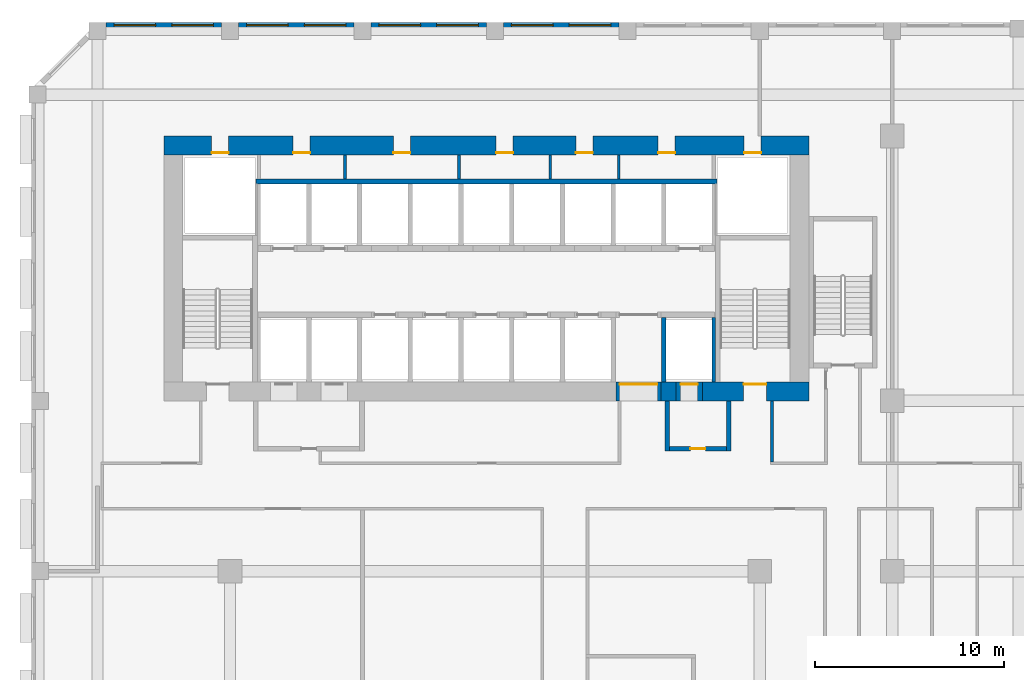
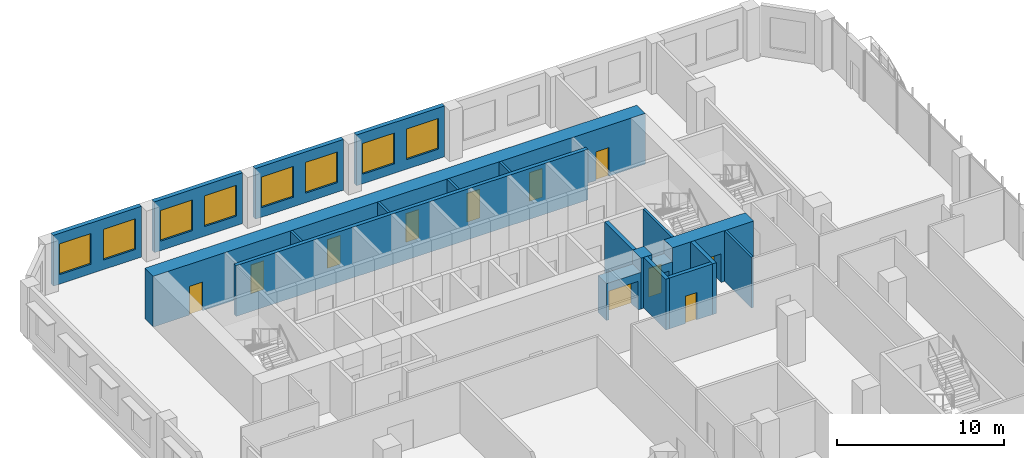
# One storey, part 15 of 26: 20 walls, 11 doors, 8 windows, 19 openings.
"""IFC4 building model written with IfcOpenShell, lengths in metres."""

from ifc_helpers import new_model, si_unit, direction, frame, frame_2d, origin, place, context, subcontext, project, spatial, rectangle, extrude, source, transform, mapped, material, layer, layer_set, type_object, element, fill, save


model = new_model("IFC4")

# Units and contexts
model_context = context("Model", 3, precision=1e-05, world=origin(), true_north=direction((0.0, 1.0)))
body_context = subcontext(model_context, "Body", "Model", "MODEL_VIEW")
ifc_project = project(units=[si_unit("LENGTHUNIT", "METRE"), si_unit("AREAUNIT", "SQUARE_METRE"), si_unit("VOLUMEUNIT", "CUBIC_METRE"), si_unit("PLANEANGLEUNIT", "RADIAN"), si_unit("MASSUNIT", "GRAM", prefix="KILO")], contexts=[model_context])

# Site, building, storey
site_placement = place(None, origin())
site = spatial("IfcSite", under=ifc_project, at=site_placement, CompositionType="ELEMENT")
building_placement = place(site_placement, origin())
building = spatial("IfcBuilding", under=site, at=building_placement, Name="Kilnfold Tower and Market Hall", CompositionType="ELEMENT")
storey_placement = place(building_placement, frame((0.0, 0.0, 83.199951171875)))
storey = spatial("IfcBuildingStorey", under=building, at=storey_placement, Name="L19", CompositionType="ELEMENT", Elevation=83.199951171875)

# Walls
ifc_material_1 = material(Name="Gypsum board on steel studs", Category="steel")
ifc_layer_1 = layer(ifc_material_1, 0.14990234375)
ifc_layer_set_1 = layer_set([ifc_layer_1], Name="Gypsum board on steel studs")
wall_type_1 = type_object("IfcWallType", Name="WALL CORRIDOR 150", PredefinedType="PARTITIONING", material=ifc_layer_set_1)
wall_1_placement = place(storey_placement, frame((16.14990234375, 4.77490234375, 0.0), z_axis=(0.0, 0.0, 1.0), x_axis=(0.0, 1.0, 0.0)))
element("IfcWall", 1, at=wall_1_placement, inside=storey, type_object=wall_type_1, Name="Partition LY13.25", PredefinedType="PARTITIONING", context=body_context, shape_type="SweptSolid", body=[
    extrude(rectangle(XDim=3.22509765625, YDim=0.14990234375, at=frame_2d((1.612548828125, 0.0))), origin(), (0.0, 0.0, 1.0), 3.719970703125),
])
ifc_material_2 = material(Name="Concrete C80", Category="concrete")
ifc_layer_2 = layer(ifc_material_2, 1.0)
ifc_layer_set_2 = layer_set([ifc_layer_2], Name="Concrete C80")
wall_type_2 = type_object("IfcWallType", Name="CORE WALL 1000 C80", PredefinedType="SHEAR", material=ifc_layer_set_2)
shared_shape_1 = source(origin(), body_context, "Body", "SweptSolid", [
    extrude(rectangle(XDim=0.780029296875, YDim=1.0, at=frame_2d((0.39013671875, 0.0))), origin(), (0.0, 0.0, 1.0), 3.719970703125),
])
wall_2_placement = place(storey_placement, frame((10.2900390625, 8.5, 0.0), z_axis=(0.0, 0.0, 1.0), x_axis=(1.0, 0.0, 0.0)))
element("IfcWall", 2, at=wall_2_placement, inside=storey, type_object=wall_type_2, Name="Core outer wall south", PredefinedType="SHEAR", context=body_context, shape_type="MappedRepresentation", body=[
    mapped(shared_shape_1, transform((0.0, 0.0, 0.0))),
])

# Wall, opening, door
shared_shape_2 = source(origin(), body_context, "Body", "SweptSolid", [
    extrude(rectangle(XDim=5.630126953125, YDim=1.0, at=frame_2d((2.81494140625, 0.0))), origin(), (0.0, 0.0, 1.0), 3.719970703125),
])
wall_3_placement = place(storey_placement, frame((12.469970703125, 8.5, 0.0), z_axis=(0.0, 0.0, 1.0), x_axis=(1.0, 0.0, 0.0)))
wall_3 = element("IfcWall", 3, at=wall_3_placement, inside=storey, type_object=wall_type_2, Name="Core outer wall south", PredefinedType="SHEAR", context=body_context, shape_type="MappedRepresentation", body=[
    mapped(shared_shape_2, transform((0.0, 0.0, 0.0))),
])
opening_1_placement = place(wall_3_placement, frame((2.179931640625, 0.0, 0.0)))
opening_1 = element("IfcOpeningElement", 4, at=opening_1_placement, cuts=wall_3, Name="Opening SD1", PredefinedType="OPENING", context=body_context, shape_type="SweptSolid", body=[
    extrude(rectangle(XDim=1.199951171875, YDim=2.10009765625, at=frame_2d((0.60009765625, 1.050048828125))), frame((0.0, 0.510009765625, 0.0), z_axis=(0.0, -1.0, 0.0), x_axis=(1.0, 0.0, 0.0)), (0.0, 0.0, 1.0), 1.02001953125),
])
ifc_material_3 = material(Name="Steel door set with fire-resisting leaf", Category="steel")
door_type_1 = type_object("IfcDoorType", Name="STAIR FLOOR DOOR 1200X2100", OperationType="NOTDEFINED", PredefinedType="DOOR", material=ifc_material_3)
door_1_placement = place(opening_1_placement, origin())
door_1 = element("IfcDoor", 5, at=door_1_placement, inside=storey, type_object=door_type_1, Name="Exit stair ST2 door", OperationType="DOUBLE_DOOR_SINGLE_SWING", OverallHeight=2.10009765625, OverallWidth=1.199951171875, PredefinedType="DOOR", context=body_context, shape_type="SweptSolid", body=[
    extrude(rectangle(XDim=1.199951171875, YDim=2.10009765625, at=frame_2d((0.60009765625, 1.050048828125))), frame((0.0, 0.40478515625, 0.0), z_axis=(0.0, -1.0, 0.0), x_axis=(1.0, 0.0, 0.0)), (0.0, 0.0, 1.0), 0.050048828125),
])
fill(opening_1, door_1)

# Wall, openings, doors
shared_shape_3 = source(origin(), body_context, "Body", "SweptSolid", [
    extrude(rectangle(XDim=34.10009765625, YDim=1.0, at=frame_2d((17.050048828125, 0.0))), origin(), (0.0, 0.0, 1.0), 3.719970703125),
])
wall_4_placement = place(storey_placement, frame((-16.0, 21.5, 0.0), z_axis=(0.0, 0.0, 1.0), x_axis=(1.0, 0.0, 0.0)))
wall_4 = element("IfcWall", 6, at=wall_4_placement, inside=storey, type_object=wall_type_2, Name="Core outer wall north", PredefinedType="SHEAR", context=body_context, shape_type="MappedRepresentation", body=[
    mapped(shared_shape_3, transform((0.0, 0.0, 0.0))),
])
opening_2_placement = place(wall_4_placement, frame((6.831298828125, 0.0, 0.0)))
opening_2 = element("IfcOpeningElement", 7, at=opening_2_placement, cuts=wall_4, Name="Opening KD1", PredefinedType="OPENING", context=body_context, shape_type="SweptSolid", body=[
    extrude(rectangle(XDim=0.89990234375, YDim=2.10009765625, at=frame_2d((0.449951171875, 1.050048828125))), frame((0.0, 0.510009765625, 0.0), z_axis=(0.0, -1.0, 0.0), x_axis=(1.0, 0.0, 0.0)), (0.0, 0.0, 1.0), 1.02001953125),
])
opening_3_placement = place(wall_4_placement, frame((12.1376953125, 0.0, 0.0)))
opening_3 = element("IfcOpeningElement", 8, at=opening_3_placement, cuts=wall_4, Name="Opening KD1", PredefinedType="OPENING", context=body_context, shape_type="SweptSolid", body=[
    extrude(rectangle(XDim=0.89990234375, YDim=2.10009765625, at=frame_2d((0.449951171875, 1.050048828125))), frame((0.0, 0.510009765625, 0.0), z_axis=(0.0, -1.0, 0.0), x_axis=(1.0, 0.0, 0.0)), (0.0, 0.0, 1.0), 1.02001953125),
])
opening_4_placement = place(wall_4_placement, frame((17.564697265625, 0.0, 0.0)))
opening_4 = element("IfcOpeningElement", 9, at=opening_4_placement, cuts=wall_4, Name="Opening KD1", PredefinedType="OPENING", context=body_context, shape_type="SweptSolid", body=[
    extrude(rectangle(XDim=0.89990234375, YDim=2.10009765625, at=frame_2d((0.449951171875, 1.050048828125))), frame((0.0, 0.510009765625, 0.0), z_axis=(0.0, -1.0, 0.0), x_axis=(1.0, 0.0, 0.0)), (0.0, 0.0, 1.0), 1.02001953125),
])
opening_5_placement = place(wall_4_placement, frame((21.785888671875, 0.0, 0.0)))
opening_5 = element("IfcOpeningElement", 10, at=opening_5_placement, cuts=wall_4, Name="Opening KD1", PredefinedType="OPENING", context=body_context, shape_type="SweptSolid", body=[
    extrude(rectangle(XDim=0.89990234375, YDim=2.10009765625, at=frame_2d((0.449951171875, 1.050048828125))), frame((0.0, 0.510009765625, 0.0), z_axis=(0.0, -1.0, 0.0), x_axis=(1.0, 0.0, 0.0)), (0.0, 0.0, 1.0), 1.02001953125),
])
opening_6_placement = place(wall_4_placement, frame((26.12744140625, 0.0, 0.0)))
opening_6 = element("IfcOpeningElement", 11, at=opening_6_placement, cuts=wall_4, Name="Opening KD1", PredefinedType="OPENING", context=body_context, shape_type="SweptSolid", body=[
    extrude(rectangle(XDim=0.89990234375, YDim=2.10009765625, at=frame_2d((0.449951171875, 1.050048828125))), frame((0.0, 0.510009765625, 0.0), z_axis=(0.0, -1.0, 0.0), x_axis=(1.0, 0.0, 0.0)), (0.0, 0.0, 1.0), 1.02001953125),
])
opening_7_placement = place(wall_4_placement, frame((2.52490234375, 0.0, 0.0)))
opening_7 = element("IfcOpeningElement", 12, at=opening_7_placement, cuts=wall_4, Name="Opening KD1", PredefinedType="OPENING", context=body_context, shape_type="SweptSolid", body=[
    extrude(rectangle(XDim=0.89990234375, YDim=2.10009765625, at=frame_2d((0.449951171875, 1.050048828125))), frame((0.0, 0.510009765625, 0.0), z_axis=(0.0, -1.0, 0.0), x_axis=(1.0, 0.0, 0.0)), (0.0, 0.0, 1.0), 1.02001953125),
])
opening_8_placement = place(wall_4_placement, frame((30.675048828125, 0.0, 0.0)))
opening_8 = element("IfcOpeningElement", 13, at=opening_8_placement, cuts=wall_4, Name="Opening KD1", PredefinedType="OPENING", context=body_context, shape_type="SweptSolid", body=[
    extrude(rectangle(XDim=0.89990234375, YDim=2.10009765625, at=frame_2d((0.449951171875, 1.050048828125))), frame((0.0, 0.510009765625, 0.0), z_axis=(0.0, -1.0, 0.0), x_axis=(1.0, 0.0, 0.0)), (0.0, 0.0, 1.0), 1.02001953125),
])
ifc_material_4 = material(Name="Steel door set with fire-resisting leaf", Category="steel")
door_type_2 = type_object("IfcDoorType", Name="SERVICE DOOR 900X2100", OperationType="NOTDEFINED", PredefinedType="DOOR", material=ifc_material_4)
door_2_placement = place(opening_2_placement, origin())
door_2 = element("IfcDoor", 14, at=door_2_placement, inside=storey, type_object=door_type_2, Name="Core service door", OperationType="SINGLE_SWING_RIGHT", OverallHeight=2.10009765625, OverallWidth=0.89990234375, PredefinedType="DOOR", context=body_context, shape_type="SweptSolid", body=[
    extrude(rectangle(XDim=0.89990234375, YDim=2.10009765625, at=frame_2d((0.449951171875, 1.050048828125))), frame((0.0, -0.35498046875, 0.0), z_axis=(0.0, -1.0, 0.0), x_axis=(1.0, 0.0, 0.0)), (0.0, 0.0, 1.0), 0.050048828125),
])
fill(opening_2, door_2)
door_3_placement = place(opening_3_placement, origin())
door_3 = element("IfcDoor", 15, at=door_3_placement, inside=storey, type_object=door_type_2, Name="Core service door", OperationType="SINGLE_SWING_LEFT", OverallHeight=2.10009765625, OverallWidth=0.89990234375, PredefinedType="DOOR", context=body_context, shape_type="SweptSolid", body=[
    extrude(rectangle(XDim=0.89990234375, YDim=2.10009765625, at=frame_2d((0.449951171875, 1.050048828125))), frame((0.0, -0.35498046875, 0.0), z_axis=(0.0, -1.0, 0.0), x_axis=(1.0, 0.0, 0.0)), (0.0, 0.0, 1.0), 0.050048828125),
])
fill(opening_3, door_3)
door_4_placement = place(opening_4_placement, origin())
door_4 = element("IfcDoor", 16, at=door_4_placement, inside=storey, type_object=door_type_2, Name="Core service door", OperationType="SINGLE_SWING_RIGHT", OverallHeight=2.10009765625, OverallWidth=0.89990234375, PredefinedType="DOOR", context=body_context, shape_type="SweptSolid", body=[
    extrude(rectangle(XDim=0.89990234375, YDim=2.10009765625, at=frame_2d((0.449951171875, 1.050048828125))), frame((0.0, -0.35498046875, 0.0), z_axis=(0.0, -1.0, 0.0), x_axis=(1.0, 0.0, 0.0)), (0.0, 0.0, 1.0), 0.050048828125),
])
fill(opening_4, door_4)
door_5_placement = place(opening_5_placement, origin())
door_5 = element("IfcDoor", 17, at=door_5_placement, inside=storey, type_object=door_type_2, Name="Core service door", OperationType="SINGLE_SWING_LEFT", OverallHeight=2.10009765625, OverallWidth=0.89990234375, PredefinedType="DOOR", context=body_context, shape_type="SweptSolid", body=[
    extrude(rectangle(XDim=0.89990234375, YDim=2.10009765625, at=frame_2d((0.449951171875, 1.050048828125))), frame((0.0, -0.35498046875, 0.0), z_axis=(0.0, -1.0, 0.0), x_axis=(1.0, 0.0, 0.0)), (0.0, 0.0, 1.0), 0.050048828125),
])
fill(opening_5, door_5)
door_6_placement = place(opening_6_placement, origin())
door_6 = element("IfcDoor", 18, at=door_6_placement, inside=storey, type_object=door_type_2, Name="Core service door", OperationType="SINGLE_SWING_RIGHT", OverallHeight=2.10009765625, OverallWidth=0.89990234375, PredefinedType="DOOR", context=body_context, shape_type="SweptSolid", body=[
    extrude(rectangle(XDim=0.89990234375, YDim=2.10009765625, at=frame_2d((0.449951171875, 1.050048828125))), frame((0.0, -0.35498046875, 0.0), z_axis=(0.0, -1.0, 0.0), x_axis=(1.0, 0.0, 0.0)), (0.0, 0.0, 1.0), 0.050048828125),
])
fill(opening_6, door_6)
door_7_placement = place(opening_7_placement, origin())
door_7 = element("IfcDoor", 19, at=door_7_placement, inside=storey, type_object=door_type_2, Name="Electrical riser access door", OperationType="SINGLE_SWING_LEFT", OverallHeight=2.10009765625, OverallWidth=0.89990234375, PredefinedType="DOOR", context=body_context, shape_type="SweptSolid", body=[
    extrude(rectangle(XDim=0.89990234375, YDim=2.10009765625, at=frame_2d((0.449951171875, 1.050048828125))), frame((0.0, -0.35498046875, 0.0), z_axis=(0.0, -1.0, 0.0), x_axis=(1.0, 0.0, 0.0)), (0.0, 0.0, 1.0), 0.050048828125),
])
fill(opening_7, door_7)
door_8_placement = place(opening_8_placement, origin())
door_8 = element("IfcDoor", 20, at=door_8_placement, inside=storey, type_object=door_type_2, Name="Mechanical riser access door", OperationType="SINGLE_SWING_RIGHT", OverallHeight=2.10009765625, OverallWidth=0.89990234375, PredefinedType="DOOR", context=body_context, shape_type="SweptSolid", body=[
    extrude(rectangle(XDim=0.89990234375, YDim=2.10009765625, at=frame_2d((0.449951171875, 1.050048828125))), frame((0.0, -0.35498046875, 0.0), z_axis=(0.0, -1.0, 0.0), x_axis=(1.0, 0.0, 0.0)), (0.0, 0.0, 1.0), 0.050048828125),
])
fill(opening_8, door_8)

# Wall, openings, windows
ifc_material_5 = material(Name="Precast concrete C50/60", Category="concrete")
ifc_layer_3 = layer(ifc_material_5, 0.300048828125)
ifc_layer_set_3 = layer_set([ifc_layer_3], Name="Precast concrete C50/60")
wall_type_3 = type_object("IfcWallType", Name="PRECAST WALL 300", PredefinedType="SOLIDWALL", material=ifc_layer_set_3)
shared_shape_4 = source(origin(), body_context, "Body", "SweptSolid", [
    extrude(rectangle(XDim=6.10009765625, YDim=0.300048828125, at=frame_2d((3.050048828125, 0.0))), origin(), (0.0, 0.0, 1.0), 3.719970703125),
])
wall_5_placement = place(storey_placement, frame((8.050048828125, 27.85009765625, 0.0), z_axis=(0.0, 0.0, 1.0), x_axis=(-1.0, 0.0, 0.0)))
wall_5 = element("IfcWall", 21, at=wall_5_placement, inside=storey, type_object=wall_type_3, Name="External wall L19 N", PredefinedType="SOLIDWALL", context=body_context, shape_type="MappedRepresentation", body=[
    mapped(shared_shape_4, transform((0.0, 0.0, 0.0))),
])
opening_9_placement = place(wall_5_placement, frame((0.425048828125, 0.0, 0.699951171875)))
opening_9 = element("IfcOpeningElement", 22, at=opening_9_placement, cuts=wall_5, Name="Opening W1", PredefinedType="OPENING", context=body_context, shape_type="SweptSolid", body=[
    extrude(rectangle(XDim=2.199951171875, YDim=2.25, at=frame_2d((1.10009765625, 1.125))), frame((0.0, 0.16015625, 0.0), z_axis=(0.0, -1.0, 0.0), x_axis=(1.0, 0.0, 0.0)), (0.0, 0.0, 1.0), 0.320068359375),
])
opening_10_placement = place(wall_5_placement, frame((3.47509765625, 0.0, 0.699951171875)))
opening_10 = element("IfcOpeningElement", 23, at=opening_10_placement, cuts=wall_5, Name="Opening W1", PredefinedType="OPENING", context=body_context, shape_type="SweptSolid", body=[
    extrude(rectangle(XDim=2.199951171875, YDim=2.25, at=frame_2d((1.10009765625, 1.125))), frame((0.0, 0.16015625, 0.0), z_axis=(0.0, -1.0, 0.0), x_axis=(1.0, 0.0, 0.0)), (0.0, 0.0, 1.0), 0.320068359375),
])
ifc_material_6 = material(Name="Aluminium frame and double glazing", Category="aluminium")
window_type = type_object("IfcWindowType", Name="WINDOW W1 2200X2250", PartitioningType="SINGLE_PANEL", PredefinedType="WINDOW", material=ifc_material_6)
window_1_placement = place(opening_9_placement, origin())
window_1 = element("IfcWindow", 24, at=window_1_placement, inside=storey, type_object=window_type, Name="Window W1 L19 N-1", OverallHeight=2.25, OverallWidth=2.199951171875, PartitioningType="SINGLE_PANEL", PredefinedType="WINDOW", context=body_context, shape_type="SweptSolid", body=[
    extrude(rectangle(XDim=2.199951171875, YDim=2.25, at=frame_2d((1.10009765625, 1.125))), frame((0.0, 0.030029296875, 0.0), z_axis=(0.0, -1.0, 0.0), x_axis=(1.0, 0.0, 0.0)), (0.0, 0.0, 1.0), 0.06005859375),
])
fill(opening_9, window_1)
window_2_placement = place(opening_10_placement, origin())
window_2 = element("IfcWindow", 25, at=window_2_placement, inside=storey, type_object=window_type, Name="Window W1 L19 N-2", OverallHeight=2.25, OverallWidth=2.199951171875, PartitioningType="SINGLE_PANEL", PredefinedType="WINDOW", context=body_context, shape_type="SweptSolid", body=[
    extrude(rectangle(XDim=2.199951171875, YDim=2.25, at=frame_2d((1.10009765625, 1.125))), frame((0.0, 0.030029296875, 0.0), z_axis=(0.0, -1.0, 0.0), x_axis=(1.0, 0.0, 0.0)), (0.0, 0.0, 1.0), 0.06005859375),
])
fill(opening_10, window_2)

wall_6_placement = place(storey_placement, frame((1.050048828125, 27.85009765625, 0.0), z_axis=(0.0, 0.0, 1.0), x_axis=(-1.0, 0.0, 0.0)))
wall_6 = element("IfcWall", 26, at=wall_6_placement, inside=storey, type_object=wall_type_3, Name="External wall L19 N", PredefinedType="SOLIDWALL", context=body_context, shape_type="MappedRepresentation", body=[
    mapped(shared_shape_4, transform((0.0, 0.0, 0.0))),
])
opening_11_placement = place(wall_6_placement, frame((0.425048828125, 0.0, 0.699951171875)))
opening_11 = element("IfcOpeningElement", 27, at=opening_11_placement, cuts=wall_6, Name="Opening W1", PredefinedType="OPENING", context=body_context, shape_type="SweptSolid", body=[
    extrude(rectangle(XDim=2.199951171875, YDim=2.25, at=frame_2d((1.10009765625, 1.125))), frame((0.0, 0.16015625, 0.0), z_axis=(0.0, -1.0, 0.0), x_axis=(1.0, 0.0, 0.0)), (0.0, 0.0, 1.0), 0.320068359375),
])
opening_12_placement = place(wall_6_placement, frame((3.47509765625, 0.0, 0.699951171875)))
opening_12 = element("IfcOpeningElement", 28, at=opening_12_placement, cuts=wall_6, Name="Opening W1", PredefinedType="OPENING", context=body_context, shape_type="SweptSolid", body=[
    extrude(rectangle(XDim=2.199951171875, YDim=2.25, at=frame_2d((1.10009765625, 1.125))), frame((0.0, 0.16015625, 0.0), z_axis=(0.0, -1.0, 0.0), x_axis=(1.0, 0.0, 0.0)), (0.0, 0.0, 1.0), 0.320068359375),
])
window_3_placement = place(opening_11_placement, origin())
window_3 = element("IfcWindow", 29, at=window_3_placement, inside=storey, type_object=window_type, Name="Window W1 L19 N-1", OverallHeight=2.25, OverallWidth=2.199951171875, PartitioningType="SINGLE_PANEL", PredefinedType="WINDOW", context=body_context, shape_type="SweptSolid", body=[
    extrude(rectangle(XDim=2.199951171875, YDim=2.25, at=frame_2d((1.10009765625, 1.125))), frame((0.0, 0.030029296875, 0.0), z_axis=(0.0, -1.0, 0.0), x_axis=(1.0, 0.0, 0.0)), (0.0, 0.0, 1.0), 0.06005859375),
])
fill(opening_11, window_3)
window_4_placement = place(opening_12_placement, origin())
window_4 = element("IfcWindow", 30, at=window_4_placement, inside=storey, type_object=window_type, Name="Window W1 L19 N-2", OverallHeight=2.25, OverallWidth=2.199951171875, PartitioningType="SINGLE_PANEL", PredefinedType="WINDOW", context=body_context, shape_type="SweptSolid", body=[
    extrude(rectangle(XDim=2.199951171875, YDim=2.25, at=frame_2d((1.10009765625, 1.125))), frame((0.0, 0.030029296875, 0.0), z_axis=(0.0, -1.0, 0.0), x_axis=(1.0, 0.0, 0.0)), (0.0, 0.0, 1.0), 0.06005859375),
])
fill(opening_12, window_4)

wall_7_placement = place(storey_placement, frame((-5.949951171875, 27.85009765625, 0.0), z_axis=(0.0, 0.0, 1.0), x_axis=(-1.0, 0.0, 0.0)))
wall_7 = element("IfcWall", 31, at=wall_7_placement, inside=storey, type_object=wall_type_3, Name="External wall L19 N", PredefinedType="SOLIDWALL", context=body_context, shape_type="MappedRepresentation", body=[
    mapped(shared_shape_4, transform((0.0, 0.0, 0.0))),
])
opening_13_placement = place(wall_7_placement, frame((0.425048828125, 0.0, 0.699951171875)))
opening_13 = element("IfcOpeningElement", 32, at=opening_13_placement, cuts=wall_7, Name="Opening W1", PredefinedType="OPENING", context=body_context, shape_type="SweptSolid", body=[
    extrude(rectangle(XDim=2.199951171875, YDim=2.25, at=frame_2d((1.10009765625, 1.125))), frame((0.0, 0.16015625, 0.0), z_axis=(0.0, -1.0, 0.0), x_axis=(1.0, 0.0, 0.0)), (0.0, 0.0, 1.0), 0.320068359375),
])
opening_14_placement = place(wall_7_placement, frame((3.47509765625, 0.0, 0.699951171875)))
opening_14 = element("IfcOpeningElement", 33, at=opening_14_placement, cuts=wall_7, Name="Opening W1", PredefinedType="OPENING", context=body_context, shape_type="SweptSolid", body=[
    extrude(rectangle(XDim=2.199951171875, YDim=2.25, at=frame_2d((1.10009765625, 1.125))), frame((0.0, 0.16015625, 0.0), z_axis=(0.0, -1.0, 0.0), x_axis=(1.0, 0.0, 0.0)), (0.0, 0.0, 1.0), 0.320068359375),
])
window_5_placement = place(opening_13_placement, origin())
window_5 = element("IfcWindow", 34, at=window_5_placement, inside=storey, type_object=window_type, Name="Window W1 L19 N-1", OverallHeight=2.25, OverallWidth=2.199951171875, PartitioningType="SINGLE_PANEL", PredefinedType="WINDOW", context=body_context, shape_type="SweptSolid", body=[
    extrude(rectangle(XDim=2.199951171875, YDim=2.25, at=frame_2d((1.10009765625, 1.125))), frame((0.0, 0.030029296875, 0.0), z_axis=(0.0, -1.0, 0.0), x_axis=(1.0, 0.0, 0.0)), (0.0, 0.0, 1.0), 0.06005859375),
])
fill(opening_13, window_5)
window_6_placement = place(opening_14_placement, origin())
window_6 = element("IfcWindow", 35, at=window_6_placement, inside=storey, type_object=window_type, Name="Window W1 L19 N-2", OverallHeight=2.25, OverallWidth=2.199951171875, PartitioningType="SINGLE_PANEL", PredefinedType="WINDOW", context=body_context, shape_type="SweptSolid", body=[
    extrude(rectangle(XDim=2.199951171875, YDim=2.25, at=frame_2d((1.10009765625, 1.125))), frame((0.0, 0.030029296875, 0.0), z_axis=(0.0, -1.0, 0.0), x_axis=(1.0, 0.0, 0.0)), (0.0, 0.0, 1.0), 0.06005859375),
])
fill(opening_14, window_6)

wall_8_placement = place(storey_placement, frame((-12.949951171875, 27.85009765625, 0.0), z_axis=(0.0, 0.0, 1.0), x_axis=(-1.0, 0.0, 0.0)))
wall_8 = element("IfcWall", 36, at=wall_8_placement, inside=storey, type_object=wall_type_3, Name="External wall L19 N", PredefinedType="SOLIDWALL", context=body_context, shape_type="MappedRepresentation", body=[
    mapped(shared_shape_4, transform((0.0, 0.0, 0.0))),
])
opening_15_placement = place(wall_8_placement, frame((0.425048828125, 0.0, 0.699951171875)))
opening_15 = element("IfcOpeningElement", 37, at=opening_15_placement, cuts=wall_8, Name="Opening W1", PredefinedType="OPENING", context=body_context, shape_type="SweptSolid", body=[
    extrude(rectangle(XDim=2.199951171875, YDim=2.25, at=frame_2d((1.10009765625, 1.125))), frame((0.0, 0.16015625, 0.0), z_axis=(0.0, -1.0, 0.0), x_axis=(1.0, 0.0, 0.0)), (0.0, 0.0, 1.0), 0.320068359375),
])
opening_16_placement = place(wall_8_placement, frame((3.47509765625, 0.0, 0.699951171875)))
opening_16 = element("IfcOpeningElement", 38, at=opening_16_placement, cuts=wall_8, Name="Opening W1", PredefinedType="OPENING", context=body_context, shape_type="SweptSolid", body=[
    extrude(rectangle(XDim=2.199951171875, YDim=2.25, at=frame_2d((1.10009765625, 1.125))), frame((0.0, 0.16015625, 0.0), z_axis=(0.0, -1.0, 0.0), x_axis=(1.0, 0.0, 0.0)), (0.0, 0.0, 1.0), 0.320068359375),
])
window_7_placement = place(opening_15_placement, origin())
window_7 = element("IfcWindow", 39, at=window_7_placement, inside=storey, type_object=window_type, Name="Window W1 L19 N-1", OverallHeight=2.25, OverallWidth=2.199951171875, PartitioningType="SINGLE_PANEL", PredefinedType="WINDOW", context=body_context, shape_type="SweptSolid", body=[
    extrude(rectangle(XDim=2.199951171875, YDim=2.25, at=frame_2d((1.10009765625, 1.125))), frame((0.0, 0.030029296875, 0.0), z_axis=(0.0, -1.0, 0.0), x_axis=(1.0, 0.0, 0.0)), (0.0, 0.0, 1.0), 0.06005859375),
])
fill(opening_15, window_7)
window_8_placement = place(opening_16_placement, origin())
window_8 = element("IfcWindow", 40, at=window_8_placement, inside=storey, type_object=window_type, Name="Window W1 L19 N-2", OverallHeight=2.25, OverallWidth=2.199951171875, PartitioningType="SINGLE_PANEL", PredefinedType="WINDOW", context=body_context, shape_type="SweptSolid", body=[
    extrude(rectangle(XDim=2.199951171875, YDim=2.25, at=frame_2d((1.10009765625, 1.125))), frame((0.0, 0.030029296875, 0.0), z_axis=(0.0, -1.0, 0.0), x_axis=(1.0, 0.0, 0.0)), (0.0, 0.0, 1.0), 0.06005859375),
])
fill(opening_16, window_8)

# Wall, opening, door
ifc_material_7 = material(Name="Gypsum shaft wall system")
ifc_layer_4 = layer(ifc_material_7, 1.0)
ifc_layer_set_4 = layer_set([ifc_layer_4], Name="Gypsum shaft wall system")
wall_type_4 = type_object("IfcWallType", Name="LOBBY WALL 1000", PredefinedType="PARTITIONING", material=ifc_layer_set_4)
shared_shape_5 = source(origin(), body_context, "Body", "SweptSolid", [
    extrude(rectangle(XDim=1.39990234375, YDim=1.0, at=frame_2d((0.699951171875, 0.0))), origin(), (0.0, 0.0, 1.0), 2.699951171875),
])
wall_9_placement = place(storey_placement, frame((11.070068359375, 8.5, 0.0), z_axis=(0.0, 0.0, 1.0), x_axis=(1.0, 0.0, 0.0)))
wall_9 = element("IfcWall", 41, at=wall_9_placement, inside=storey, type_object=wall_type_4, Name="Core wall infill", PredefinedType="PARTITIONING", context=body_context, shape_type="MappedRepresentation", body=[
    mapped(shared_shape_5, transform((0.0, 0.0, 0.0))),
])
opening_17_placement = place(wall_9_placement, frame((0.25, 0.0, 0.0)))
opening_17 = element("IfcOpeningElement", 42, at=opening_17_placement, cuts=wall_9, Name="Opening LD1", PredefinedType="OPENING", context=body_context, shape_type="SweptSolid", body=[
    extrude(rectangle(XDim=0.89990234375, YDim=2.10009765625, at=frame_2d((0.449951171875, 1.050048828125))), frame((0.0, 0.510009765625, 0.0), z_axis=(0.0, -1.0, 0.0), x_axis=(1.0, 0.0, 0.0)), (0.0, 0.0, 1.0), 1.02001953125),
])
ifc_material_8 = material(Name="Steel door set with fire-resisting leaf", Category="steel")
door_type_3 = type_object("IfcDoorType", Name="FIREFIGHTING LANDING DOOR 900X2100", OperationType="NOTDEFINED", PredefinedType="DOOR", material=ifc_material_8)
door_9_placement = place(opening_17_placement, origin())
door_9 = element("IfcDoor", 43, at=door_9_placement, inside=storey, type_object=door_type_3, Name="Landing door FF3", OperationType="SLIDING_TO_LEFT", OverallHeight=2.10009765625, OverallWidth=0.89990234375, PredefinedType="DOOR", context=body_context, shape_type="SweptSolid", body=[
    extrude(rectangle(XDim=0.89990234375, YDim=2.10009765625, at=frame_2d((0.449951171875, 1.050048828125))), frame((0.0, 0.40478515625, 0.0), z_axis=(0.0, -1.0, 0.0), x_axis=(1.0, 0.0, 0.0)), (0.0, 0.0, 1.0), 0.050048828125),
])
fill(opening_17, door_9)

shared_shape_6 = source(origin(), body_context, "Body", "SweptSolid", [
    extrude(rectangle(XDim=2.400146484375, YDim=1.0, at=frame_2d((1.2001953125, 0.0))), origin(), (0.0, 0.0, 1.0), 2.699951171875),
])
wall_10_placement = place(storey_placement, frame((7.889892578125, 8.5, 0.0), z_axis=(0.0, 0.0, 1.0), x_axis=(1.0, 0.0, 0.0)))
wall_10 = element("IfcWall", 44, at=wall_10_placement, inside=storey, type_object=wall_type_4, Name="Core wall infill", PredefinedType="PARTITIONING", context=body_context, shape_type="MappedRepresentation", body=[
    mapped(shared_shape_6, transform((0.0, 0.0, 0.0))),
])
opening_18_placement = place(wall_10_placement, frame((0.199951171875, 0.0, 0.0)))
opening_18 = element("IfcOpeningElement", 45, at=opening_18_placement, cuts=wall_10, Name="Opening VD2", PredefinedType="OPENING", context=body_context, shape_type="SweptSolid", body=[
    extrude(rectangle(XDim=2.0, YDim=2.10009765625, at=frame_2d((1.0, 1.050048828125))), frame((0.0, 0.510009765625, 0.0), z_axis=(0.0, -1.0, 0.0), x_axis=(1.0, 0.0, 0.0)), (0.0, 0.0, 1.0), 1.02001953125),
])
ifc_material_9 = material(Name="Steel door set with fire-resisting leaf", Category="steel")
door_type_4 = type_object("IfcDoorType", Name="LIFT LOBBY ENTRANCE DOOR 2000X2100", OperationType="NOTDEFINED", PredefinedType="DOOR", material=ifc_material_9)
door_10_placement = place(opening_18_placement, origin())
door_10 = element("IfcDoor", 46, at=door_10_placement, inside=storey, type_object=door_type_4, Name="Lift lobby entrance door", OperationType="DOUBLE_DOOR_SINGLE_SWING", OverallHeight=2.10009765625, OverallWidth=2.0, PredefinedType="DOOR", context=body_context, shape_type="SweptSolid", body=[
    extrude(rectangle(XDim=2.0, YDim=2.10009765625, at=frame_2d((1.0, 1.050048828125))), frame((0.0, 0.40478515625, 0.0), z_axis=(0.0, -1.0, 0.0), x_axis=(1.0, 0.0, 0.0)), (0.0, 0.0, 1.0), 0.050048828125),
])
fill(opening_18, door_10)

# Walls
ifc_material_10 = material(Name="Gypsum shaft wall system")
ifc_layer_5 = layer(ifc_material_10, 0.25)
ifc_layer_set_5 = layer_set([ifc_layer_5], Name="Gypsum shaft wall system")
wall_type_5 = type_object("IfcWallType", Name="LOBBY WALL 250", PredefinedType="PARTITIONING", material=ifc_layer_set_5)
shared_shape_7 = source(origin(), body_context, "Body", "SweptSolid", [
    extrude(rectangle(XDim=2.64990234375, YDim=0.25, at=frame_2d((1.324951171875, 0.0))), origin(), (0.0, 0.0, 1.0), 3.719970703125),
])
for number, where, z_axis, x_axis, name in (
    (47, (10.60498046875, 5.35009765625, 0.0), (0.0, 0.0, 1.0), (0.0, 1.0, 0.0), "Firefighting lobby wall"),
    (48, (13.85498046875, 5.35009765625, 0.0), (0.0, 0.0, 1.0), (0.0, 1.0, 0.0), "Firefighting lobby wall"),
):
    element("IfcWall", number, at=place(storey_placement, frame(where, z_axis=z_axis, x_axis=x_axis)), inside=storey, type_object=wall_type_5, Name=name, PredefinedType="PARTITIONING", context=body_context, shape_type="MappedRepresentation", body=[
        mapped(shared_shape_7, transform((0.0, 0.0, 0.0))),
    ])

# Wall, opening, door
shared_shape_8 = source(origin(), body_context, "Body", "SweptSolid", [
    extrude(rectangle(XDim=3.0, YDim=0.25, at=frame_2d((1.5, 0.0))), origin(), (0.0, 0.0, 1.0), 3.719970703125),
])
wall_11_placement = place(storey_placement, frame((10.72998046875, 5.47509765625, 0.0), z_axis=(0.0, 0.0, 1.0), x_axis=(1.0, 0.0, 0.0)))
wall_11 = element("IfcWall", 49, at=wall_11_placement, inside=storey, type_object=wall_type_5, Name="Firefighting lobby wall", PredefinedType="PARTITIONING", context=body_context, shape_type="MappedRepresentation", body=[
    mapped(shared_shape_8, transform((0.0, 0.0, 0.0))),
])
opening_19_placement = place(wall_11_placement, frame((1.10009765625, 0.0, 0.0)))
opening_19 = element("IfcOpeningElement", 50, at=opening_19_placement, cuts=wall_11, Name="Opening VD1", PredefinedType="OPENING", context=body_context, shape_type="SweptSolid", body=[
    extrude(rectangle(XDim=0.800048828125, YDim=2.0, at=frame_2d((0.39990234375, 1.0))), frame((0.0, 0.135009765625, 0.0), z_axis=(0.0, -1.0, 0.0), x_axis=(1.0, 0.0, 0.0)), (0.0, 0.0, 1.0), 0.27001953125),
])
ifc_material_11 = material(Name="Steel door set with fire-resisting leaf", Category="steel")
door_type_5 = type_object("IfcDoorType", Name="FIREFIGHTING LOBBY DOOR 800X2000", OperationType="NOTDEFINED", PredefinedType="DOOR", material=ifc_material_11)
door_11_placement = place(opening_19_placement, origin())
door_11 = element("IfcDoor", 51, at=door_11_placement, inside=storey, type_object=door_type_5, Name="Firefighting lobby door", OperationType="SINGLE_SWING_RIGHT", OverallHeight=2.0, OverallWidth=0.800048828125, PredefinedType="DOOR", context=body_context, shape_type="SweptSolid", body=[
    extrude(rectangle(XDim=0.800048828125, YDim=2.0, at=frame_2d((0.39990234375, 1.0))), frame((0.0, 0.02490234375, 0.0), z_axis=(0.0, -1.0, 0.0), x_axis=(1.0, 0.0, 0.0)), (0.0, 0.0, 1.0), 0.050048828125),
])
fill(opening_19, door_11)

# Walls
ifc_material_12 = material(Name="Gypsum shaft wall system")
ifc_layer_6 = layer(ifc_material_12, 0.25)
ifc_layer_set_6 = layer_set([ifc_layer_6], Name="Gypsum shaft wall system")
wall_type_6 = type_object("IfcWallType", Name="SHAFT WALL 250", PredefinedType="PARTITIONING", material=ifc_layer_set_6)
shared_shape_9 = source(origin(), body_context, "Body", "SweptSolid", [
    extrude(rectangle(XDim=24.3701171875, YDim=0.25, at=frame_2d((12.18505859375, 0.0))), origin(), (0.0, 0.0, 1.0), 3.719970703125),
])
wall_12_placement = place(storey_placement, frame((-11.135009765625, 19.60009765625, 0.0), z_axis=(0.0, 0.0, 1.0), x_axis=(1.0, 0.0, 0.0)))
element("IfcWall", 52, at=wall_12_placement, inside=storey, type_object=wall_type_6, Name="Lift shaft wall", PredefinedType="PARTITIONING", context=body_context, shape_type="MappedRepresentation", body=[
    mapped(shared_shape_9, transform((0.0, 0.0, 0.0))),
])
shared_shape_10 = source(origin(), body_context, "Body", "SweptSolid", [
    extrude(rectangle(XDim=3.39990234375, YDim=0.25, at=frame_2d((1.699951171875, 0.0))), origin(), (0.0, 0.0, 1.0), 3.719970703125),
])
wall_13_placement = place(storey_placement, frame((10.429931640625, 9.0, 0.0), z_axis=(0.0, 0.0, 1.0), x_axis=(0.0, 1.0, 0.0)))
element("IfcWall", 53, at=wall_13_placement, inside=storey, type_object=wall_type_6, Name="Lift shaft wall", PredefinedType="PARTITIONING", context=body_context, shape_type="MappedRepresentation", body=[
    mapped(shared_shape_10, transform((0.0, 0.0, 0.0))),
])
ifc_material_13 = material(Name="Gypsum shaft wall system")
ifc_layer_7 = layer(ifc_material_13, 0.1650390625)
ifc_layer_set_7 = layer_set([ifc_layer_7], Name="Gypsum shaft wall system")
wall_type_7 = type_object("IfcWallType", Name="SHAFT WALL 165", PredefinedType="PARTITIONING", material=ifc_layer_set_7)
shared_shape_11 = source(origin(), body_context, "Body", "SweptSolid", [
    extrude(rectangle(XDim=3.39990234375, YDim=0.1650390625, at=frame_2d((1.699951171875, 0.0))), origin(), (0.0, 0.0, 1.0), 3.719970703125),
])
wall_14_placement = place(storey_placement, frame((13.0673828125, 9.0, 0.0), z_axis=(0.0, 0.0, 1.0), x_axis=(0.0, 1.0, 0.0)))
element("IfcWall", 54, at=wall_14_placement, inside=storey, type_object=wall_type_7, Name="Lift shaft wall", PredefinedType="PARTITIONING", context=body_context, shape_type="MappedRepresentation", body=[
    mapped(shared_shape_11, transform((0.0, 0.0, 0.0))),
])
ifc_material_14 = material(Name="Gypsum shaft wall system")
ifc_layer_8 = layer(ifc_material_14, 0.14990234375)
ifc_layer_set_8 = layer_set([ifc_layer_8], Name="Gypsum shaft wall system")
wall_type_8 = type_object("IfcWallType", Name="ROOM WALL 150", PredefinedType="PARTITIONING", material=ifc_layer_set_8)
shared_shape_12 = source(origin(), body_context, "Body", "SweptSolid", [
    extrude(rectangle(XDim=1.27490234375, YDim=0.14990234375, at=frame_2d((0.637451171875, 0.0))), origin(), (0.0, 0.0, 1.0), 3.719970703125),
])
for number, where, z_axis, x_axis, name in (
    (55, (-6.42724609375, 19.72509765625, 0.0), (0.0, 0.0, 1.0), (0.0, 1.0, 0.0), "Core room wall"),
    (56, (-0.397216796875, 19.72509765625, 0.0), (0.0, 0.0, 1.0), (0.0, 1.0, 0.0), "Core room wall"),
    (57, (4.4267578125, 19.72509765625, 0.0), (0.0, 0.0, 1.0), (0.0, 1.0, 0.0), "Core room wall"),
    (58, (8.044921875, 19.72509765625, 0.0), (0.0, 0.0, 1.0), (0.0, 1.0, 0.0), "Core room wall"),
):
    element("IfcWall", number, at=place(storey_placement, frame(where, z_axis=z_axis, x_axis=x_axis)), inside=storey, type_object=wall_type_8, Name=name, PredefinedType="PARTITIONING", context=body_context, shape_type="MappedRepresentation", body=[
        mapped(shared_shape_12, transform((0.0, 0.0, 0.0))),
    ])

save(model, "model.ifc")
